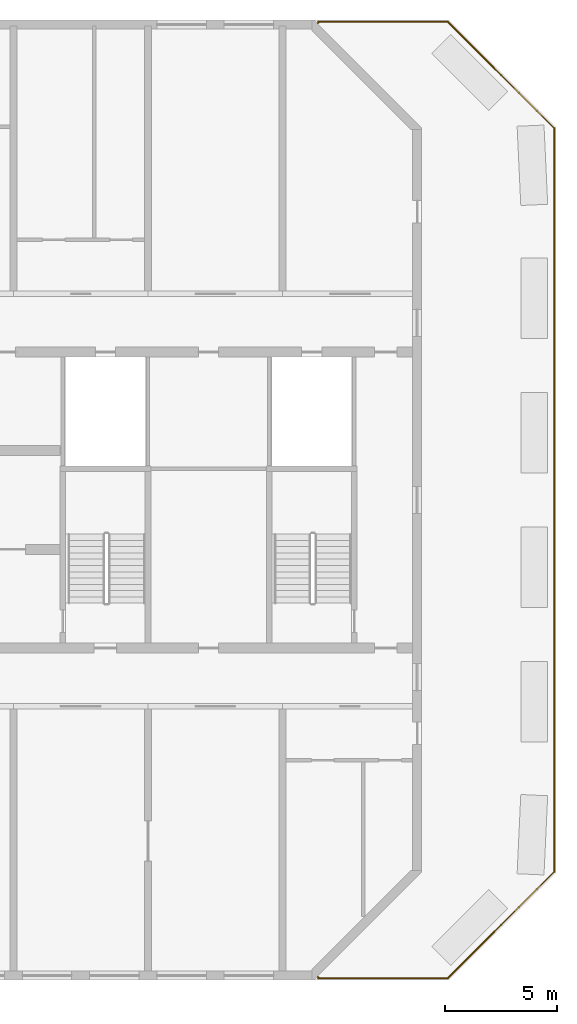
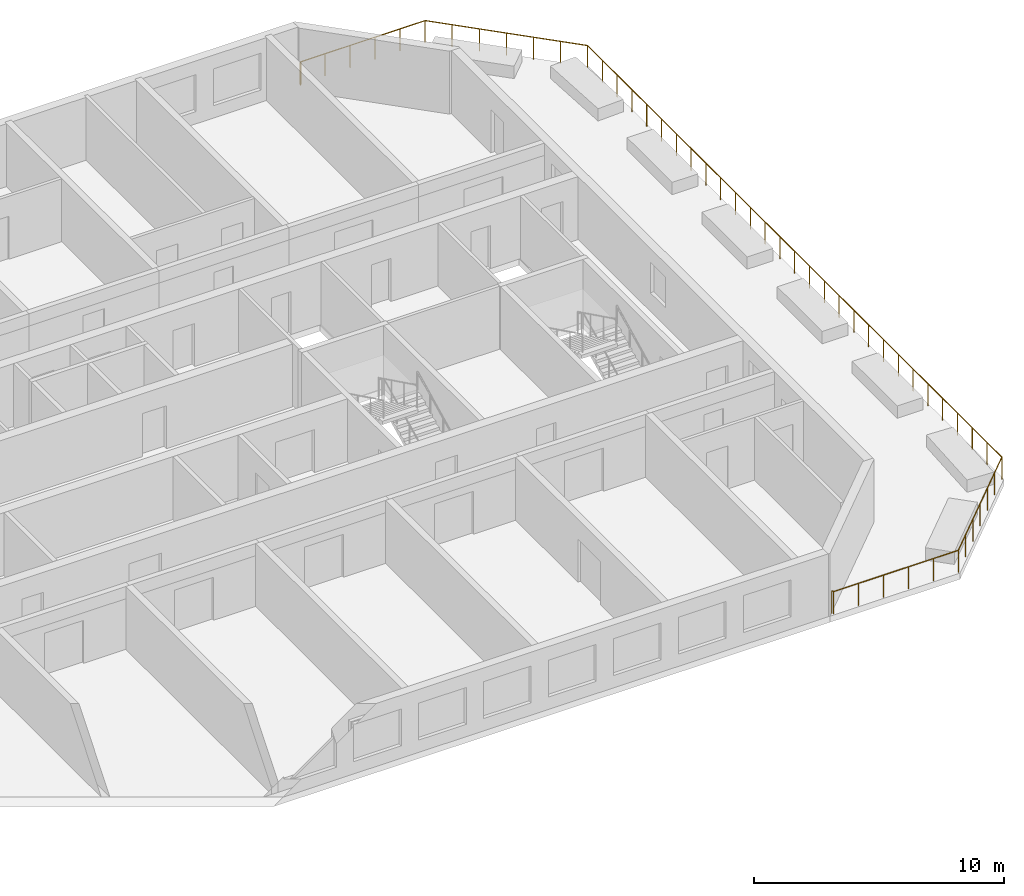
# One storey, part 14 of 14: 1 railing.
"""IFC4 building model written with IfcOpenShell, lengths in metres."""

from ifc_helpers import new_model, si_unit, direction, frame, origin, origin_2d, place, context, subcontext, project, spatial, circle, extrude, material, type_object, element, save


model = new_model("IFC4")

# Units and contexts
model_context = context("Model", 3, precision=1e-05, world=origin(), true_north=direction((0.0, 1.0)))
body_context = subcontext(model_context, "Body", "Model", "MODEL_VIEW")
ifc_project = project(units=[si_unit("LENGTHUNIT", "METRE"), si_unit("AREAUNIT", "SQUARE_METRE"), si_unit("VOLUMEUNIT", "CUBIC_METRE"), si_unit("PLANEANGLEUNIT", "RADIAN"), si_unit("MASSUNIT", "GRAM", prefix="KILO")], contexts=[model_context])

# Site, building, storey
site_placement = place(None, origin())
site = spatial("IfcSite", under=ifc_project, at=site_placement, CompositionType="ELEMENT")
building_placement = place(site_placement, origin())
building = spatial("IfcBuilding", under=site, at=building_placement, Name="Poui Terraces", CompositionType="ELEMENT")
storey_placement = place(building_placement, frame((0.0, 0.0, 158.699951171875)))
storey = spatial("IfcBuildingStorey", under=building, at=storey_placement, Name="L44", CompositionType="ELEMENT", Elevation=158.699951171875)

# Railing
ifc_material = material(Name="Painted steel fretwork", Category="steel")
railing_type = type_object("IfcRailingType", Name="TERRACE GUARD 1100", PredefinedType="GUARDRAIL", material=ifc_material)
railing_placement = place(storey_placement, frame((79.556640625, 42.443359375, 0.0)))
element("IfcRailing", 1, at=railing_placement, inside=storey, type_object=railing_type, Name="TERRACE GUARD", PredefinedType="GUARDRAIL", context=body_context, shape_type="SweptSolid", body=[
    extrude(circle(Radius=0.02392578125, at=origin_2d()), frame((0.0, 0.0, 1.076171875), z_axis=(0.705577907011, 0.708632356824, 0.0), x_axis=(-0.708632356824, 0.705577907011, 0.0)), (0.0, 0.0, 1.0), 0.079833984375),
    extrude(circle(Radius=0.02392578125, at=origin_2d()), frame((0.056396484375, 0.056640625, 1.076171875), z_axis=(-0.707106781187, 0.707106781187, 0.0), x_axis=(-0.707106781187, -0.707106781187, 0.0)), (0.0, 0.0, 1.0), 0.0283203125),
    extrude(circle(Radius=0.02392578125, at=origin_2d()), frame((0.036376953125, 0.07666015625, 1.076171875), z_axis=(1.0, 0.0, 0.0), x_axis=(0.0, 1.0, 0.0)), (0.0, 0.0, 1.0), 5.77392578125),
    extrude(circle(Radius=0.02392578125, at=origin_2d()), frame((5.810302734375, 0.07666015625, 1.076171875), z_axis=(0.707106781187, -0.707106781187, 0.0), x_axis=(0.707106781187, 0.707106781187, 0.0)), (0.0, 0.0, 1.0), 6.721923828125),
    extrude(circle(Radius=0.02392578125, at=origin_2d()), frame((10.5634765625, -4.676513671875, 1.076171875), z_axis=(0.0, -1.0, 0.0), x_axis=(1.0, 0.0, 0.0)), (0.0, 0.0, 1.0), 33.1337890625),
    extrude(circle(Radius=0.02392578125, at=origin_2d()), frame((10.5634765625, -37.810302734375, 1.076171875), z_axis=(-0.707106781187, -0.707106781187, 0.0), x_axis=(0.707106781187, -0.707106781187, 0.0)), (0.0, 0.0, 1.0), 6.721923828125),
    extrude(circle(Radius=0.02392578125, at=origin_2d()), frame((5.810302734375, -42.5634765625, 1.076171875), z_axis=(-1.0, 0.0, 0.0), x_axis=(0.0, -1.0, 0.0)), (0.0, 0.0, 1.0), 5.77392578125),
    extrude(circle(Radius=0.02392578125, at=origin_2d()), frame((0.036376953125, -42.5634765625, 1.076171875), z_axis=(0.707106781187, 0.707106781187, 0.0), x_axis=(-0.707106781187, 0.707106781187, 0.0)), (0.0, 0.0, 1.0), 0.0283203125),
    extrude(circle(Radius=0.02392578125, at=origin_2d()), frame((0.056396484375, -42.54345703125, 1.076171875), z_axis=(-0.705577907011, 0.708632356824, 0.0), x_axis=(-0.708632356824, -0.705577907011, 0.0)), (0.0, 0.0, 1.0), 0.079833984375),
    extrude(circle(Radius=0.02099609375, at=origin_2d()), origin(), (0.0, 0.0, 1.0), 1.052001953125),
    extrude(circle(Radius=0.02099609375, at=origin_2d()), frame((0.056396484375, 0.056640625, 0.0)), (0.0, 0.0, 1.0), 1.052001953125),
    extrude(circle(Radius=0.02099609375, at=origin_2d()), frame((0.036376953125, 0.07666015625, 0.0)), (0.0, 0.0, 1.0), 1.052001953125),
    extrude(circle(Radius=0.02099609375, at=origin_2d()), frame((1.191162109375, 0.07666015625, 0.0)), (0.0, 0.0, 1.0), 1.052001953125),
    extrude(circle(Radius=0.02099609375, at=origin_2d()), frame((2.345947265625, 0.07666015625, 0.0)), (0.0, 0.0, 1.0), 1.052001953125),
    extrude(circle(Radius=0.02099609375, at=origin_2d()), frame((3.500732421875, 0.07666015625, 0.0)), (0.0, 0.0, 1.0), 1.052001953125),
    extrude(circle(Radius=0.02099609375, at=origin_2d()), frame((4.655517578125, 0.07666015625, 0.0)), (0.0, 0.0, 1.0), 1.052001953125),
    extrude(circle(Radius=0.02099609375, at=origin_2d()), frame((5.810302734375, 0.07666015625, 0.0)), (0.0, 0.0, 1.0), 1.052001953125),
    extrude(circle(Radius=0.02099609375, at=origin_2d()), frame((6.6025390625, -0.715576171875, 0.0)), (0.0, 0.0, 1.0), 1.052001953125),
    extrude(circle(Radius=0.02099609375, at=origin_2d()), frame((7.394775390625, -1.5078125, 0.0)), (0.0, 0.0, 1.0), 1.052001953125),
    extrude(circle(Radius=0.02099609375, at=origin_2d()), frame((8.18701171875, -2.2998046875, 0.0)), (0.0, 0.0, 1.0), 1.052001953125),
    extrude(circle(Radius=0.02099609375, at=origin_2d()), frame((8.97900390625, -3.092041015625, 0.0)), (0.0, 0.0, 1.0), 1.052001953125),
    extrude(circle(Radius=0.02099609375, at=origin_2d()), frame((9.771240234375, -3.88427734375, 0.0)), (0.0, 0.0, 1.0), 1.052001953125),
    extrude(circle(Radius=0.02099609375, at=origin_2d()), frame((10.5634765625, -4.676513671875, 0.0)), (0.0, 0.0, 1.0), 1.052001953125),
    extrude(circle(Radius=0.02099609375, at=origin_2d()), frame((10.5634765625, -5.85986328125, 0.0)), (0.0, 0.0, 1.0), 1.052001953125),
    extrude(circle(Radius=0.02099609375, at=origin_2d()), frame((10.5634765625, -7.043212890625, 0.0)), (0.0, 0.0, 1.0), 1.052001953125),
    extrude(circle(Radius=0.02099609375, at=origin_2d()), frame((10.5634765625, -8.2265625, 0.0)), (0.0, 0.0, 1.0), 1.052001953125),
    extrude(circle(Radius=0.02099609375, at=origin_2d()), frame((10.5634765625, -9.409912109375, 0.0)), (0.0, 0.0, 1.0), 1.052001953125),
    extrude(circle(Radius=0.02099609375, at=origin_2d()), frame((10.5634765625, -10.59326171875, 0.0)), (0.0, 0.0, 1.0), 1.052001953125),
    extrude(circle(Radius=0.02099609375, at=origin_2d()), frame((10.5634765625, -11.776611328125, 0.0)), (0.0, 0.0, 1.0), 1.052001953125),
    extrude(circle(Radius=0.02099609375, at=origin_2d()), frame((10.5634765625, -12.9599609375, 0.0)), (0.0, 0.0, 1.0), 1.052001953125),
    extrude(circle(Radius=0.02099609375, at=origin_2d()), frame((10.5634765625, -14.143310546875, 0.0)), (0.0, 0.0, 1.0), 1.052001953125),
    extrude(circle(Radius=0.02099609375, at=origin_2d()), frame((10.5634765625, -15.32666015625, 0.0)), (0.0, 0.0, 1.0), 1.052001953125),
    extrude(circle(Radius=0.02099609375, at=origin_2d()), frame((10.5634765625, -16.510009765625, 0.0)), (0.0, 0.0, 1.0), 1.052001953125),
    extrude(circle(Radius=0.02099609375, at=origin_2d()), frame((10.5634765625, -17.693359375, 0.0)), (0.0, 0.0, 1.0), 1.052001953125),
    extrude(circle(Radius=0.02099609375, at=origin_2d()), frame((10.5634765625, -18.876708984375, 0.0)), (0.0, 0.0, 1.0), 1.052001953125),
    extrude(circle(Radius=0.02099609375, at=origin_2d()), frame((10.5634765625, -20.06005859375, 0.0)), (0.0, 0.0, 1.0), 1.052001953125),
    extrude(circle(Radius=0.02099609375, at=origin_2d()), frame((10.5634765625, -21.243408203125, 0.0)), (0.0, 0.0, 1.0), 1.052001953125),
    extrude(circle(Radius=0.02099609375, at=origin_2d()), frame((10.5634765625, -22.4267578125, 0.0)), (0.0, 0.0, 1.0), 1.052001953125),
    extrude(circle(Radius=0.02099609375, at=origin_2d()), frame((10.5634765625, -23.610107421875, 0.0)), (0.0, 0.0, 1.0), 1.052001953125),
    extrude(circle(Radius=0.02099609375, at=origin_2d()), frame((10.5634765625, -24.79345703125, 0.0)), (0.0, 0.0, 1.0), 1.052001953125),
    extrude(circle(Radius=0.02099609375, at=origin_2d()), frame((10.5634765625, -25.976806640625, 0.0)), (0.0, 0.0, 1.0), 1.052001953125),
    extrude(circle(Radius=0.02099609375, at=origin_2d()), frame((10.5634765625, -27.16015625, 0.0)), (0.0, 0.0, 1.0), 1.052001953125),
    extrude(circle(Radius=0.02099609375, at=origin_2d()), frame((10.5634765625, -28.343505859375, 0.0)), (0.0, 0.0, 1.0), 1.052001953125),
    extrude(circle(Radius=0.02099609375, at=origin_2d()), frame((10.5634765625, -29.52685546875, 0.0)), (0.0, 0.0, 1.0), 1.052001953125),
    extrude(circle(Radius=0.02099609375, at=origin_2d()), frame((10.5634765625, -30.710205078125, 0.0)), (0.0, 0.0, 1.0), 1.052001953125),
    extrude(circle(Radius=0.02099609375, at=origin_2d()), frame((10.5634765625, -31.8935546875, 0.0)), (0.0, 0.0, 1.0), 1.052001953125),
    extrude(circle(Radius=0.02099609375, at=origin_2d()), frame((10.5634765625, -33.076904296875, 0.0)), (0.0, 0.0, 1.0), 1.052001953125),
    extrude(circle(Radius=0.02099609375, at=origin_2d()), frame((10.5634765625, -34.26025390625, 0.0)), (0.0, 0.0, 1.0), 1.052001953125),
    extrude(circle(Radius=0.02099609375, at=origin_2d()), frame((10.5634765625, -35.443603515625, 0.0)), (0.0, 0.0, 1.0), 1.052001953125),
    extrude(circle(Radius=0.02099609375, at=origin_2d()), frame((10.5634765625, -36.626953125, 0.0)), (0.0, 0.0, 1.0), 1.052001953125),
    extrude(circle(Radius=0.02099609375, at=origin_2d()), frame((10.5634765625, -37.810302734375, 0.0)), (0.0, 0.0, 1.0), 1.052001953125),
    extrude(circle(Radius=0.02099609375, at=origin_2d()), frame((9.771240234375, -38.6025390625, 0.0)), (0.0, 0.0, 1.0), 1.052001953125),
    extrude(circle(Radius=0.02099609375, at=origin_2d()), frame((8.97900390625, -39.394775390625, 0.0)), (0.0, 0.0, 1.0), 1.052001953125),
    extrude(circle(Radius=0.02099609375, at=origin_2d()), frame((8.18701171875, -40.18701171875, 0.0)), (0.0, 0.0, 1.0), 1.052001953125),
    extrude(circle(Radius=0.02099609375, at=origin_2d()), frame((7.394775390625, -40.97900390625, 0.0)), (0.0, 0.0, 1.0), 1.052001953125),
    extrude(circle(Radius=0.02099609375, at=origin_2d()), frame((6.6025390625, -41.771240234375, 0.0)), (0.0, 0.0, 1.0), 1.052001953125),
    extrude(circle(Radius=0.02099609375, at=origin_2d()), frame((5.810302734375, -42.5634765625, 0.0)), (0.0, 0.0, 1.0), 1.052001953125),
    extrude(circle(Radius=0.02099609375, at=origin_2d()), frame((4.655517578125, -42.5634765625, 0.0)), (0.0, 0.0, 1.0), 1.052001953125),
    extrude(circle(Radius=0.02099609375, at=origin_2d()), frame((3.500732421875, -42.5634765625, 0.0)), (0.0, 0.0, 1.0), 1.052001953125),
    extrude(circle(Radius=0.02099609375, at=origin_2d()), frame((2.345947265625, -42.5634765625, 0.0)), (0.0, 0.0, 1.0), 1.052001953125),
    extrude(circle(Radius=0.02099609375, at=origin_2d()), frame((1.191162109375, -42.5634765625, 0.0)), (0.0, 0.0, 1.0), 1.052001953125),
    extrude(circle(Radius=0.02099609375, at=origin_2d()), frame((0.036376953125, -42.5634765625, 0.0)), (0.0, 0.0, 1.0), 1.052001953125),
    extrude(circle(Radius=0.02099609375, at=origin_2d()), frame((0.056396484375, -42.54345703125, 0.0)), (0.0, 0.0, 1.0), 1.052001953125),
    extrude(circle(Radius=0.02099609375, at=origin_2d()), frame((0.0, -42.48681640625, 0.0)), (0.0, 0.0, 1.0), 1.052001953125),
])

save(model, "model.ifc")
